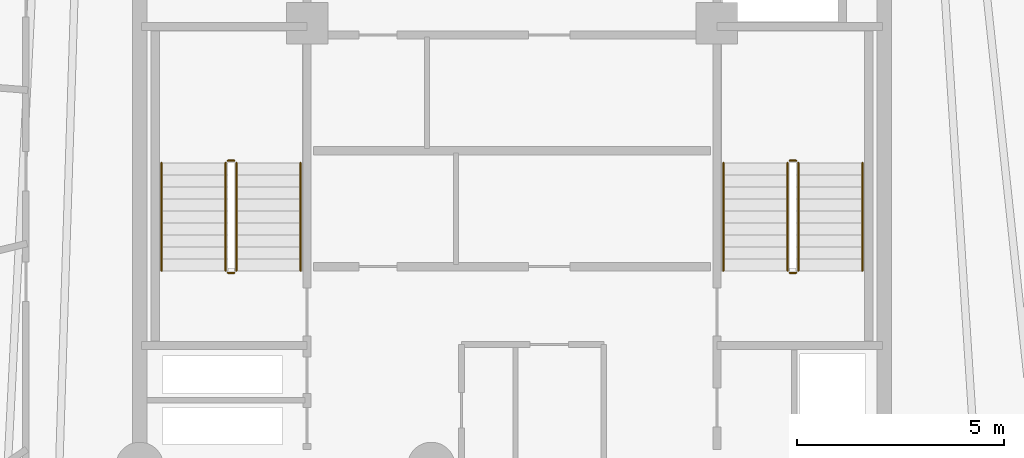
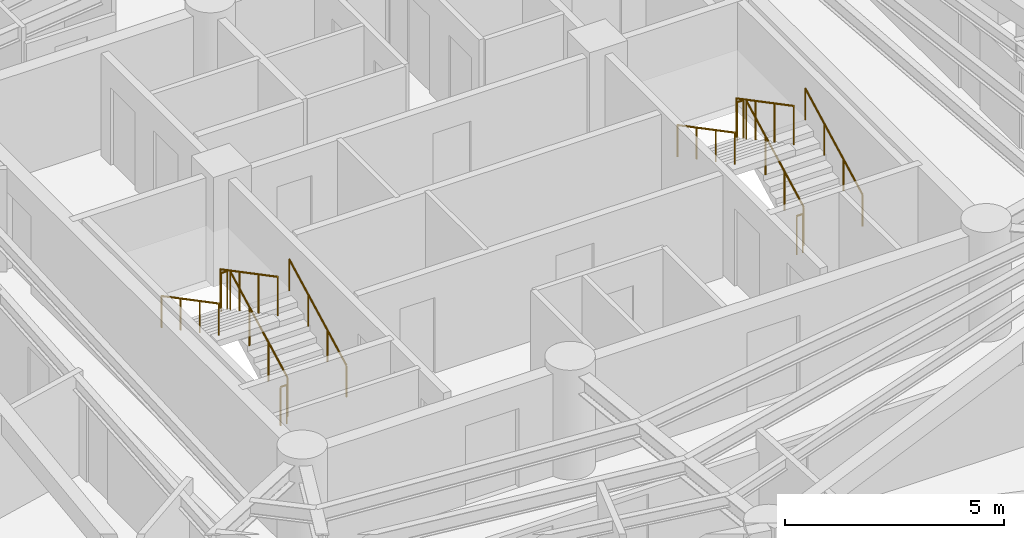
# One storey, part 7 of 7: 12 railings.
"""IFC4 building model written with IfcOpenShell, lengths in metres."""

from ifc_helpers import new_model, si_unit, direction, frame, origin, origin_2d, place, context, subcontext, project, spatial, circle, extrude, material, layer, layer_set, type_object, element, save


model = new_model("IFC4")

# Units and contexts
model_context = context("Model", 3, precision=1e-05, world=origin(), true_north=direction((0.0, 1.0)))
body_context = subcontext(model_context, "Body", "Model", "MODEL_VIEW")
ifc_project = project(units=[si_unit("LENGTHUNIT", "METRE"), si_unit("AREAUNIT", "SQUARE_METRE"), si_unit("VOLUMEUNIT", "CUBIC_METRE"), si_unit("PLANEANGLEUNIT", "RADIAN"), si_unit("MASSUNIT", "GRAM", prefix="KILO")], contexts=[model_context])

# Site, building, storey
site_placement = place(None, origin())
site = spatial("IfcSite", under=ifc_project, at=site_placement, CompositionType="ELEMENT")
building_placement = place(site_placement, origin())
building = spatial("IfcBuilding", under=site, at=building_placement, Name="Karkom Vertical University and Central Library", CompositionType="ELEMENT")
storey_placement = place(building_placement, frame((0.0, 0.0, 229.10009765625)))
storey = spatial("IfcBuildingStorey", under=building, at=storey_placement, Name="L67", CompositionType="ELEMENT", Elevation=229.10009765625)

# Railings
ifc_material_1 = material(Name="Painted galvanised steel balustrade", Category="steel")
ifc_layer_1 = layer(ifc_material_1, 0.06005859375)
ifc_layer_set_1 = layer_set([ifc_layer_1], Name="Painted galvanised steel balustrade")
railing_type_1 = type_object("IfcRailingType", Name="INT-RL-GUARD1100", PredefinedType="GUARDRAIL", material=ifc_layer_set_1)
railing_1_placement = place(storey_placement, frame((21.840087890625, 23.02001953125, 0.15234375)))
element("IfcRailing", 1, at=railing_1_placement, inside=storey, type_object=railing_type_1, Name="Level 67 ST-1 stair guard 1", PredefinedType="GUARDRAIL", context=body_context, shape_type="SweptSolid", body=[
    extrude(circle(Radius=0.02392578125, at=origin_2d()), frame((0.0, 0.0, 1.076171875), z_axis=(0.0, 0.885065446896, 0.46546659892), x_axis=(-1.0, 0.0, 0.0)), (0.0, 0.0, 1.0), 2.94873046875),
    extrude(circle(Radius=0.02099609375, at=origin_2d()), origin(), (0.0, 0.0, 1.0), 1.052001953125),
    extrude(circle(Radius=0.02099609375, at=origin_2d()), frame((0.0, 0.869873046875, 0.45751953125)), (0.0, 0.0, 1.0), 1.052001953125),
    extrude(circle(Radius=0.02099609375, at=origin_2d()), frame((0.0, 1.739990234375, 0.9150390625)), (0.0, 0.0, 1.0), 1.052001953125),
    extrude(circle(Radius=0.02099609375, at=origin_2d()), frame((0.0, 2.60986328125, 1.37255859375)), (0.0, 0.0, 1.0), 1.052001953125),
])
railing_2_placement = place(storey_placement, frame((21.7900390625, 25.679931640625, 1.52490234375)))
element("IfcRailing", 2, at=railing_2_placement, inside=storey, type_object=railing_type_1, Name="Level 67 ST-1 stair guard 2", PredefinedType="GUARDRAIL", context=body_context, shape_type="SweptSolid", body=[
    extrude(circle(Radius=0.02392578125, at=origin_2d()), frame((0.0, 0.0, 1.076171875), z_axis=(-1.0, 0.0, 0.0), x_axis=(0.0, -1.0, 0.0)), (0.0, 0.0, 1.0), 0.16015625),
    extrude(circle(Radius=0.02099609375, at=origin_2d()), origin(), (0.0, 0.0, 1.0), 1.052001953125),
    extrude(circle(Radius=0.02099609375, at=origin_2d()), frame((-0.16015625, 0.0, 0.0)), (0.0, 0.0, 1.0), 1.052001953125),
])
railing_3_placement = place(storey_placement, frame((21.580078125, 25.6298828125, 1.677490234375)))
element("IfcRailing", 3, at=railing_3_placement, inside=storey, type_object=railing_type_1, Name="Level 67 ST-1 stair guard 3", PredefinedType="GUARDRAIL", context=body_context, shape_type="SweptSolid", body=[
    extrude(circle(Radius=0.02392578125, at=origin_2d()), frame((0.0, 0.0, 1.076171875), z_axis=(0.0, -0.885099554253, 0.465401739426), x_axis=(1.0, 0.0, 0.0)), (0.0, 0.0, 1.0), 2.94873046875),
    extrude(circle(Radius=0.02099609375, at=origin_2d()), origin(), (0.0, 0.0, 1.0), 1.052001953125),
    extrude(circle(Radius=0.02099609375, at=origin_2d()), frame((0.0, -0.869873046875, 0.45751953125)), (0.0, 0.0, 1.0), 1.052001953125),
    extrude(circle(Radius=0.02099609375, at=origin_2d()), frame((0.0, -1.739990234375, 0.914794921875)), (0.0, 0.0, 1.0), 1.052001953125),
    extrude(circle(Radius=0.02099609375, at=origin_2d()), frame((0.0, -2.60986328125, 1.372314453125)), (0.0, 0.0, 1.0), 1.052001953125),
])
railing_4_placement = place(storey_placement, frame((21.7900390625, 22.969970703125, 0.0)))
element("IfcRailing", 4, at=railing_4_placement, inside=storey, type_object=railing_type_1, Name="Level 67 ST-1 stair guard 4", PredefinedType="GUARDRAIL", context=body_context, shape_type="SweptSolid", body=[
    extrude(circle(Radius=0.02392578125, at=origin_2d()), frame((0.0, 0.0, 1.076171875), z_axis=(-1.0, 0.0, 0.0), x_axis=(0.0, -1.0, 0.0)), (0.0, 0.0, 1.0), 0.16015625),
    extrude(circle(Radius=0.02099609375, at=origin_2d()), origin(), (0.0, 0.0, 1.0), 1.052001953125),
    extrude(circle(Radius=0.02099609375, at=origin_2d()), frame((-0.16015625, 0.0, 0.0)), (0.0, 0.0, 1.0), 1.052001953125),
])
railing_5_placement = place(storey_placement, frame((35.419921875, 23.02001953125, 0.15234375)))
element("IfcRailing", 5, at=railing_5_placement, inside=storey, type_object=railing_type_1, Name="Level 67 ST-2 stair guard 1", PredefinedType="GUARDRAIL", context=body_context, shape_type="SweptSolid", body=[
    extrude(circle(Radius=0.02392578125, at=origin_2d()), frame((0.0, 0.0, 1.076171875), z_axis=(0.0, 0.885065446896, 0.46546659892), x_axis=(-1.0, 0.0, 0.0)), (0.0, 0.0, 1.0), 2.94873046875),
    extrude(circle(Radius=0.02099609375, at=origin_2d()), origin(), (0.0, 0.0, 1.0), 1.052001953125),
    extrude(circle(Radius=0.02099609375, at=origin_2d()), frame((0.0, 0.869873046875, 0.45751953125)), (0.0, 0.0, 1.0), 1.052001953125),
    extrude(circle(Radius=0.02099609375, at=origin_2d()), frame((0.0, 1.739990234375, 0.9150390625)), (0.0, 0.0, 1.0), 1.052001953125),
    extrude(circle(Radius=0.02099609375, at=origin_2d()), frame((0.0, 2.60986328125, 1.37255859375)), (0.0, 0.0, 1.0), 1.052001953125),
])
railing_6_placement = place(storey_placement, frame((35.3701171875, 25.679931640625, 1.52490234375)))
element("IfcRailing", 6, at=railing_6_placement, inside=storey, type_object=railing_type_1, Name="Level 67 ST-2 stair guard 2", PredefinedType="GUARDRAIL", context=body_context, shape_type="SweptSolid", body=[
    extrude(circle(Radius=0.02392578125, at=origin_2d()), frame((0.0, 0.0, 1.076171875), z_axis=(-1.0, 0.0, 0.0), x_axis=(0.0, -1.0, 0.0)), (0.0, 0.0, 1.0), 0.16015625),
    extrude(circle(Radius=0.02099609375, at=origin_2d()), origin(), (0.0, 0.0, 1.0), 1.052001953125),
    extrude(circle(Radius=0.02099609375, at=origin_2d()), frame((-0.16015625, 0.0, 0.0)), (0.0, 0.0, 1.0), 1.052001953125),
])
railing_7_placement = place(storey_placement, frame((35.159912109375, 25.6298828125, 1.677490234375)))
element("IfcRailing", 7, at=railing_7_placement, inside=storey, type_object=railing_type_1, Name="Level 67 ST-2 stair guard 3", PredefinedType="GUARDRAIL", context=body_context, shape_type="SweptSolid", body=[
    extrude(circle(Radius=0.02392578125, at=origin_2d()), frame((0.0, 0.0, 1.076171875), z_axis=(0.0, -0.885099554253, 0.465401739426), x_axis=(1.0, 0.0, 0.0)), (0.0, 0.0, 1.0), 2.94873046875),
    extrude(circle(Radius=0.02099609375, at=origin_2d()), origin(), (0.0, 0.0, 1.0), 1.052001953125),
    extrude(circle(Radius=0.02099609375, at=origin_2d()), frame((0.0, -0.869873046875, 0.45751953125)), (0.0, 0.0, 1.0), 1.052001953125),
    extrude(circle(Radius=0.02099609375, at=origin_2d()), frame((0.0, -1.739990234375, 0.914794921875)), (0.0, 0.0, 1.0), 1.052001953125),
    extrude(circle(Radius=0.02099609375, at=origin_2d()), frame((0.0, -2.60986328125, 1.372314453125)), (0.0, 0.0, 1.0), 1.052001953125),
])
railing_8_placement = place(storey_placement, frame((35.3701171875, 22.969970703125, 0.0)))
element("IfcRailing", 8, at=railing_8_placement, inside=storey, type_object=railing_type_1, Name="Level 67 ST-2 stair guard 4", PredefinedType="GUARDRAIL", context=body_context, shape_type="SweptSolid", body=[
    extrude(circle(Radius=0.02392578125, at=origin_2d()), frame((0.0, 0.0, 1.076171875), z_axis=(-1.0, 0.0, 0.0), x_axis=(0.0, -1.0, 0.0)), (0.0, 0.0, 1.0), 0.16015625),
    extrude(circle(Radius=0.02099609375, at=origin_2d()), origin(), (0.0, 0.0, 1.0), 1.052001953125),
    extrude(circle(Radius=0.02099609375, at=origin_2d()), frame((-0.16015625, 0.0, 0.0)), (0.0, 0.0, 1.0), 1.052001953125),
])
ifc_material_2 = material(Name="Brushed stainless-steel tubular handrail", Category="steel")
ifc_layer_2 = layer(ifc_material_2, 0.048095703125)
ifc_layer_set_2 = layer_set([ifc_layer_2], Name="Brushed stainless-steel tubular handrail")
railing_type_2 = type_object("IfcRailingType", Name="INT-RL-HAND920", PredefinedType="HANDRAIL", material=ifc_layer_set_2)
railing_9_placement = place(storey_placement, frame((23.389892578125, 23.02001953125, 0.15234375)))
element("IfcRailing", 9, at=railing_9_placement, inside=storey, type_object=railing_type_2, Name="Level 67 ST-1 stair handrail 1", PredefinedType="HANDRAIL", context=body_context, shape_type="SweptSolid", body=[
    extrude(circle(Radius=0.02392578125, at=origin_2d()), frame((0.0, 0.0, 0.8759765625), z_axis=(0.0, 0.885065446896, 0.46546659892), x_axis=(-1.0, 0.0, 0.0)), (0.0, 0.0, 1.0), 2.94873046875),
    extrude(circle(Radius=0.02099609375, at=origin_2d()), origin(), (0.0, 0.0, 1.0), 0.851806640625),
    extrude(circle(Radius=0.02099609375, at=origin_2d()), frame((0.0, 0.869873046875, 0.45751953125)), (0.0, 0.0, 1.0), 0.851806640625),
    extrude(circle(Radius=0.02099609375, at=origin_2d()), frame((0.0, 1.739990234375, 0.9150390625)), (0.0, 0.0, 1.0), 0.851806640625),
    extrude(circle(Radius=0.02099609375, at=origin_2d()), frame((0.0, 2.60986328125, 1.37255859375)), (0.0, 0.0, 1.0), 0.851806640625),
])
railing_10_placement = place(storey_placement, frame((20.030029296875, 25.6298828125, 1.677490234375)))
element("IfcRailing", 10, at=railing_10_placement, inside=storey, type_object=railing_type_2, Name="Level 67 ST-1 stair handrail 2", PredefinedType="HANDRAIL", context=body_context, shape_type="SweptSolid", body=[
    extrude(circle(Radius=0.02392578125, at=origin_2d()), frame((0.0, 0.0, 0.8759765625), z_axis=(0.0, -0.885099554253, 0.465401739426), x_axis=(1.0, 0.0, 0.0)), (0.0, 0.0, 1.0), 2.94873046875),
    extrude(circle(Radius=0.02099609375, at=origin_2d()), origin(), (0.0, 0.0, 1.0), 0.851806640625),
    extrude(circle(Radius=0.02099609375, at=origin_2d()), frame((0.0, -0.869873046875, 0.45751953125)), (0.0, 0.0, 1.0), 0.851806640625),
    extrude(circle(Radius=0.02099609375, at=origin_2d()), frame((0.0, -1.739990234375, 0.914794921875)), (0.0, 0.0, 1.0), 0.851806640625),
    extrude(circle(Radius=0.02099609375, at=origin_2d()), frame((0.0, -2.60986328125, 1.372314453125)), (0.0, 0.0, 1.0), 0.851806640625),
])
railing_11_placement = place(storey_placement, frame((36.969970703125, 23.02001953125, 0.15234375)))
element("IfcRailing", 11, at=railing_11_placement, inside=storey, type_object=railing_type_2, Name="Level 67 ST-2 stair handrail 1", PredefinedType="HANDRAIL", context=body_context, shape_type="SweptSolid", body=[
    extrude(circle(Radius=0.02392578125, at=origin_2d()), frame((0.0, 0.0, 0.8759765625), z_axis=(0.0, 0.885065446896, 0.46546659892), x_axis=(-1.0, 0.0, 0.0)), (0.0, 0.0, 1.0), 2.94873046875),
    extrude(circle(Radius=0.02099609375, at=origin_2d()), origin(), (0.0, 0.0, 1.0), 0.851806640625),
    extrude(circle(Radius=0.02099609375, at=origin_2d()), frame((0.0, 0.869873046875, 0.45751953125)), (0.0, 0.0, 1.0), 0.851806640625),
    extrude(circle(Radius=0.02099609375, at=origin_2d()), frame((0.0, 1.739990234375, 0.9150390625)), (0.0, 0.0, 1.0), 0.851806640625),
    extrude(circle(Radius=0.02099609375, at=origin_2d()), frame((0.0, 2.60986328125, 1.37255859375)), (0.0, 0.0, 1.0), 0.851806640625),
])
railing_12_placement = place(storey_placement, frame((33.610107421875, 25.6298828125, 1.677490234375)))
element("IfcRailing", 12, at=railing_12_placement, inside=storey, type_object=railing_type_2, Name="Level 67 ST-2 stair handrail 2", PredefinedType="HANDRAIL", context=body_context, shape_type="SweptSolid", body=[
    extrude(circle(Radius=0.02392578125, at=origin_2d()), frame((0.0, 0.0, 0.8759765625), z_axis=(0.0, -0.885099554253, 0.465401739426), x_axis=(1.0, 0.0, 0.0)), (0.0, 0.0, 1.0), 2.94873046875),
    extrude(circle(Radius=0.02099609375, at=origin_2d()), origin(), (0.0, 0.0, 1.0), 0.851806640625),
    extrude(circle(Radius=0.02099609375, at=origin_2d()), frame((0.0, -0.869873046875, 0.45751953125)), (0.0, 0.0, 1.0), 0.851806640625),
    extrude(circle(Radius=0.02099609375, at=origin_2d()), frame((0.0, -1.739990234375, 0.914794921875)), (0.0, 0.0, 1.0), 0.851806640625),
    extrude(circle(Radius=0.02099609375, at=origin_2d()), frame((0.0, -2.60986328125, 1.372314453125)), (0.0, 0.0, 1.0), 0.851806640625),
])

save(model, "model.ifc")
